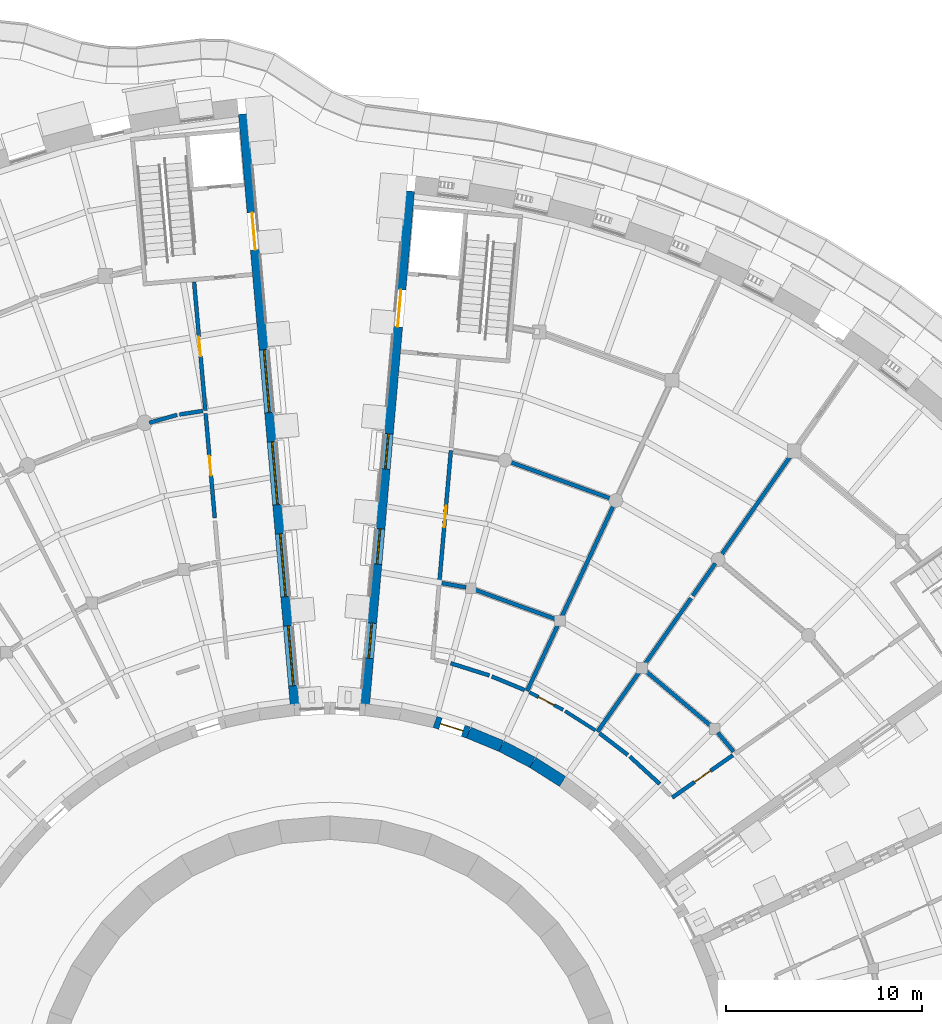
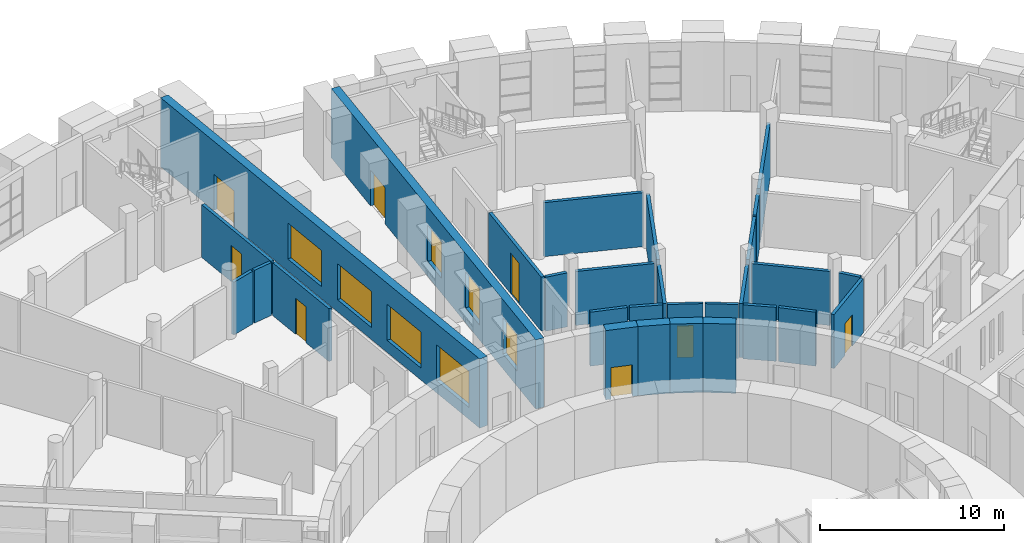
# One storey, part 58 of 85: 29 walls, 8 doors, 7 windows, 15 openings.
"""IFC4 building model written with IfcOpenShell, lengths in metres."""

from ifc_helpers import new_model, si_unit, direction, frame, frame_2d, origin, place, context, subcontext, project, spatial, rectangle, extrude, material, layer, layer_set, type_object, element, fill, save


model = new_model("IFC4")

# Units and contexts
model_context = context("Model", 3, precision=1e-05, world=origin(), true_north=direction((0.0, 1.0)))
body_context = subcontext(model_context, "Body", "Model", "MODEL_VIEW")
ifc_project = project(units=[si_unit("LENGTHUNIT", "METRE"), si_unit("AREAUNIT", "SQUARE_METRE"), si_unit("VOLUMEUNIT", "CUBIC_METRE"), si_unit("PLANEANGLEUNIT", "RADIAN"), si_unit("MASSUNIT", "GRAM", prefix="KILO")], contexts=[model_context])

# Site, building, storey
site_placement = place(None, origin())
site = spatial("IfcSite", under=ifc_project, at=site_placement, CompositionType="ELEMENT")
building_placement = place(site_placement, origin())
building = spatial("IfcBuilding", under=site, at=building_placement, Name="Volute Hill Aquarium", CompositionType="ELEMENT")
storey_placement = place(building_placement, origin())
storey = spatial("IfcBuildingStorey", under=building, at=storey_placement, Name="L01", CompositionType="ELEMENT", Elevation=0.0)

# Wall, opening, door
ifc_material_1 = material(Name="Gypsum board on steel studs", Category="steel")
ifc_layer_1 = layer(ifc_material_1, 0.175048828125)
ifc_layer_set_1 = layer_set([ifc_layer_1], Name="Corridor partition 175 EI 60")
wall_type_1 = type_object("IfcWallType", Name="Corridor partition 175 EI 60", PredefinedType="PARTITIONING", material=ifc_layer_set_1)
wall_1_placement = place(storey_placement, frame((10.173583984375, 21.510009765625, 0.0), z_axis=(0.0, 0.0, 1.0), x_axis=(0.887007216852, -0.461755560067, 0.0)))
wall_1 = element("IfcWall", 1, at=wall_1_placement, inside=storey, type_object=wall_type_1, Name="pw/S5/L01/026", PredefinedType="PARTITIONING", context=body_context, shape_type="SweptSolid", body=[
    extrude(rectangle(XDim=1.9462890625, YDim=0.175048828125, at=frame_2d((0.97314453125, 0.0))), origin(), (0.0, 0.0, 1.0), 3.590087890625),
])
opening_1_placement = place(wall_1_placement, frame((0.523193359375, 0.0, 0.0)))
opening_1 = element("IfcOpeningElement", 2, at=opening_1_placement, cuts=wall_1, Name="Opening D5.01.01", PredefinedType="OPENING", context=body_context, shape_type="SweptSolid", body=[
    extrude(rectangle(XDim=0.89990234375, YDim=2.10009765625, at=frame_2d((0.449951171875, 1.050048828125))), frame((0.0, 0.097412109375, 0.0), z_axis=(0.0, -1.0, 0.0), x_axis=(1.0, 0.0, 0.0)), (0.0, 0.0, 1.0), 0.195068359375),
])
ifc_material_2 = material(Name="Timber, fire-rated", Category="wood")
door_type_1 = type_object("IfcDoorType", Name="Door 900 x 2100 wc single EI1 30", OperationType="SINGLE_SWING_LEFT", PredefinedType="DOOR", material=ifc_material_2)
door_1_placement = place(opening_1_placement, origin())
door_1 = element("IfcDoor", 3, at=door_1_placement, inside=storey, type_object=door_type_1, Name="d/S5/L01/01", OperationType="SINGLE_SWING_LEFT", OverallHeight=2.10009765625, OverallWidth=0.89990234375, PredefinedType="DOOR", context=body_context, shape_type="SweptSolid", body=[
    extrude(rectangle(XDim=0.89990234375, YDim=2.10009765625, at=frame_2d((0.449951171875, 1.050048828125))), frame((0.0, 0.02490234375, 0.0), z_axis=(0.0, -1.0, 0.0), x_axis=(1.0, 0.0, 0.0)), (0.0, 0.0, 1.0), 0.050048828125),
])
fill(opening_1, door_1)

# Walls
wall_2_placement = place(storey_placement, frame((11.9990234375, 20.54833984375, 0.0), z_axis=(0.0, 0.0, 1.0), x_axis=(0.843392045151, -0.537298667574, 0.0)))
element("IfcWall", 4, at=wall_2_placement, inside=storey, type_object=wall_type_1, Name="pw/S5/L01/028", PredefinedType="PARTITIONING", context=body_context, shape_type="SweptSolid", body=[
    extrude(rectangle(XDim=1.828857421875, YDim=0.175048828125, at=frame_2d((0.91455078125, 0.0))), origin(), (0.0, 0.0, 1.0), 3.590087890625),
])
ifc_material_3 = material(Name="Concrete C35/45", Category="concrete")
ifc_layer_2 = layer(ifc_material_3, 0.60009765625)
ifc_layer_set_2 = layer_set([ifc_layer_2], Name="Drum wall C35/45 600")
wall_type_2 = type_object("IfcWallType", Name="Drum wall C35/45 600", PredefinedType="SHEAR", material=ifc_layer_set_2)
for number, where, z_axis, x_axis, name in (
    (5, (11.873046875, 16.956298828125, 0.0), (0.0, 0.0, 1.0), (-0.843332890803, 0.537391510251, 0.0), "sw/DR/L01/11"),
    (6, (10.35009765625, 17.9267578125, 0.0), (0.0, 0.0, 1.0), (-0.887035219654, 0.461701764231, 0.0), "sw/DR/L01/12"),
    (7, (8.748291015625, 18.760498046875, 0.0), (0.0, 0.0, 1.0), (-0.923866889322, 0.382713954298, 0.0), "sw/DR/L01/13"),
):
    element("IfcWall", number, at=place(storey_placement, frame(where, z_axis=z_axis, x_axis=x_axis)), inside=storey, type_object=wall_type_2, Name=name, PredefinedType="SHEAR", context=body_context, shape_type="SweptSolid", body=[
        extrude(rectangle(XDim=1.805908203125, YDim=0.60009765625, at=frame_2d((0.90283203125, 0.0))), origin(), (0.0, 0.0, 1.0), 4.60009765625),
    ])

# Wall, opening, door
wall_3_placement = place(storey_placement, frame((7.079833984375, 19.45166015625, 0.0), z_axis=(0.0, 0.0, 1.0), x_axis=(-0.953721512733, 0.300691330354, 0.0)))
wall_3 = element("IfcWall", 8, at=wall_3_placement, inside=storey, type_object=wall_type_2, Name="sw/DR/L01/14", PredefinedType="SHEAR", context=body_context, shape_type="SweptSolid", body=[
    extrude(rectangle(XDim=1.8056640625, YDim=0.60009765625, at=frame_2d((0.90283203125, 0.0))), origin(), (0.0, 0.0, 1.0), 4.60009765625),
])
opening_2_placement = place(wall_3_placement, frame((0.302978515625, 0.0, 0.0)))
opening_2 = element("IfcOpeningElement", 9, at=opening_2_placement, cuts=wall_3, Name="Opening D5.01.R2", PredefinedType="OPENING", context=body_context, shape_type="SweptSolid", body=[
    extrude(rectangle(XDim=1.199951171875, YDim=2.10009765625, at=frame_2d((0.60009765625, 1.050048828125))), frame((0.0, 0.31005859375, 0.0), z_axis=(0.0, -1.0, 0.0), x_axis=(1.0, 0.0, 0.0)), (0.0, 0.0, 1.0), 0.6201171875),
])
ifc_material_4 = material(Name="Timber", Category="wood")
door_type_2 = type_object("IfcDoorType", Name="Door 1200 x 2100 drum double", OperationType="DOUBLE_DOOR_SINGLE_SWING", PredefinedType="DOOR", material=ifc_material_4)
door_2_placement = place(opening_2_placement, origin())
door_2 = element("IfcDoor", 10, at=door_2_placement, inside=storey, type_object=door_type_2, Name="d/S5/L01/dr2", OperationType="SINGLE_SWING_LEFT", OverallHeight=2.10009765625, OverallWidth=1.199951171875, PredefinedType="DOOR", context=body_context, shape_type="SweptSolid", body=[
    extrude(rectangle(XDim=1.199951171875, YDim=2.10009765625, at=frame_2d((0.60009765625, 1.050048828125))), frame((0.0, 0.02490234375, 0.0), z_axis=(0.0, -1.0, 0.0), x_axis=(1.0, 0.0, 0.0)), (0.0, 0.0, 1.0), 0.050048828125),
])
fill(opening_2, door_2)

# Wall, openings, door, windows
ifc_material_5 = material(Name="Concrete C35/45", Category="concrete")
ifc_layer_3 = layer(ifc_material_5, 0.5)
ifc_layer_set_3 = layer_set([ifc_layer_3], Name="End wall 500 C35/45")
wall_type_3 = type_object("IfcWallType", Name="End wall 500 C35/45", PredefinedType="SHEAR", material=ifc_layer_set_3)
wall_4_placement = place(storey_placement, frame((1.771728515625, 20.82470703125, 0.0), z_axis=(0.0, 0.0, 1.0), x_axis=(0.087157755473, 0.996194521999, 0.0)))
wall_4 = element("IfcWall", 11, at=wall_4_placement, inside=storey, type_object=wall_type_3, Name="sw/S5/L01/endB", PredefinedType="SHEAR", context=body_context, shape_type="SweptSolid", body=[
    extrude(rectangle(XDim=26.350341796875, YDim=0.5, at=frame_2d((13.17529296875, 0.0))), origin(), (0.0, 0.0, 1.0), 4.60009765625),
])
opening_3_placement = place(wall_4_placement, frame((2.43115234375, 0.0, 1.0)))
opening_3 = element("IfcOpeningElement", 12, at=opening_3_placement, cuts=wall_4, Name="Opening W13", PredefinedType="OPENING", context=body_context, shape_type="SweptSolid", body=[
    extrude(rectangle(XDim=1.800048828125, YDim=2.39990234375, at=frame_2d((0.89990234375, 1.199951171875))), frame((0.0, 0.260009765625, 0.0), z_axis=(0.0, -1.0, 0.0), x_axis=(1.0, 0.0, 0.0)), (0.0, 0.0, 1.0), 0.52001953125),
])
opening_4_placement = place(wall_4_placement, frame((7.252197265625, 0.0, 1.0)))
opening_4 = element("IfcOpeningElement", 13, at=opening_4_placement, cuts=wall_4, Name="Opening W13", PredefinedType="OPENING", context=body_context, shape_type="SweptSolid", body=[
    extrude(rectangle(XDim=1.800048828125, YDim=2.39990234375, at=frame_2d((0.89990234375, 1.199951171875))), frame((0.0, 0.260009765625, 0.0), z_axis=(0.0, -1.0, 0.0), x_axis=(1.0, 0.0, 0.0)), (0.0, 0.0, 1.0), 0.52001953125),
])
opening_5_placement = place(wall_4_placement, frame((12.1181640625, 0.0, 1.0)))
opening_5 = element("IfcOpeningElement", 14, at=opening_5_placement, cuts=wall_4, Name="Opening W13", PredefinedType="OPENING", context=body_context, shape_type="SweptSolid", body=[
    extrude(rectangle(XDim=1.800048828125, YDim=2.39990234375, at=frame_2d((0.89990234375, 1.199951171875))), frame((0.0, 0.260009765625, 0.0), z_axis=(0.0, -1.0, 0.0), x_axis=(1.0, 0.0, 0.0)), (0.0, 0.0, 1.0), 0.52001953125),
])
opening_6_placement = place(wall_4_placement, frame((19.39990234375, 0.0, 0.0)))
opening_6 = element("IfcOpeningElement", 15, at=opening_6_placement, cuts=wall_4, Name="Opening D5.01.BX", PredefinedType="OPENING", context=body_context, shape_type="SweptSolid", body=[
    extrude(rectangle(XDim=1.89990234375, YDim=2.39990234375, at=frame_2d((0.949951171875, 1.199951171875))), frame((0.0, 0.260009765625, 0.0), z_axis=(0.0, -1.0, 0.0), x_axis=(1.0, 0.0, 0.0)), (0.0, 0.0, 1.0), 0.52001953125),
])
ifc_material_6 = material(Name="Steel, fire-rated", Category="steel")
door_type_3 = type_object("IfcDoorType", Name="Door 1900 x 2400 stair exit double EI1 30", OperationType="DOUBLE_DOOR_SINGLE_SWING", PredefinedType="DOOR", material=ifc_material_6)
door_3_placement = place(opening_6_placement, origin())
door_3 = element("IfcDoor", 16, at=door_3_placement, inside=storey, type_object=door_type_3, Name="d/S5-B/L01/ex", OperationType="SINGLE_SWING_LEFT", OverallHeight=2.39990234375, OverallWidth=1.89990234375, PredefinedType="DOOR", context=body_context, shape_type="SweptSolid", body=[
    extrude(rectangle(XDim=1.89990234375, YDim=2.39990234375, at=frame_2d((0.949951171875, 1.199951171875))), frame((0.0, 0.02490234375, 0.0), z_axis=(0.0, -1.0, 0.0), x_axis=(1.0, 0.0, 0.0)), (0.0, 0.0, 1.0), 0.050048828125),
])
fill(opening_6, door_3)
ifc_material_7 = material(Name="Aluminium and glass", Category="aluminium")
window_type_1 = type_object("IfcWindowType", Name="End wall window 1800x2400", PartitioningType="SINGLE_PANEL", PredefinedType="WINDOW", material=ifc_material_7)
window_1_placement = place(opening_3_placement, origin())
window_1 = element("IfcWindow", 17, at=window_1_placement, inside=storey, type_object=window_type_1, Name="End wall window S5B L01 1.1", OverallHeight=2.39990234375, OverallWidth=1.800048828125, PartitioningType="SINGLE_PANEL", PredefinedType="WINDOW", context=body_context, shape_type="SweptSolid", body=[
    extrude(rectangle(XDim=1.800048828125, YDim=2.39990234375, at=frame_2d((0.89990234375, 1.199951171875))), frame((0.0, 0.030029296875, 0.0), z_axis=(0.0, -1.0, 0.0), x_axis=(1.0, 0.0, 0.0)), (0.0, 0.0, 1.0), 0.06005859375),
])
fill(opening_3, window_1)
window_2_placement = place(opening_4_placement, origin())
window_2 = element("IfcWindow", 18, at=window_2_placement, inside=storey, type_object=window_type_1, Name="End wall window S5B L01 2.1", OverallHeight=2.39990234375, OverallWidth=1.800048828125, PartitioningType="SINGLE_PANEL", PredefinedType="WINDOW", context=body_context, shape_type="SweptSolid", body=[
    extrude(rectangle(XDim=1.800048828125, YDim=2.39990234375, at=frame_2d((0.89990234375, 1.199951171875))), frame((0.0, 0.030029296875, 0.0), z_axis=(0.0, -1.0, 0.0), x_axis=(1.0, 0.0, 0.0)), (0.0, 0.0, 1.0), 0.06005859375),
])
fill(opening_4, window_2)
window_3_placement = place(opening_5_placement, origin())
window_3 = element("IfcWindow", 19, at=window_3_placement, inside=storey, type_object=window_type_1, Name="End wall window S5B L01 3.1", OverallHeight=2.39990234375, OverallWidth=1.800048828125, PartitioningType="SINGLE_PANEL", PredefinedType="WINDOW", context=body_context, shape_type="SweptSolid", body=[
    extrude(rectangle(XDim=1.800048828125, YDim=2.39990234375, at=frame_2d((0.89990234375, 1.199951171875))), frame((0.0, 0.030029296875, 0.0), z_axis=(0.0, -1.0, 0.0), x_axis=(1.0, 0.0, 0.0)), (0.0, 0.0, 1.0), 0.06005859375),
])
fill(opening_5, window_3)

wall_5_placement = place(storey_placement, frame((-1.771728515625, 20.82470703125, 0.0), z_axis=(0.0, 0.0, 1.0), x_axis=(-0.087157054987, 0.996194583285, 0.0)))
wall_5 = element("IfcWall", 20, at=wall_5_placement, inside=storey, type_object=wall_type_3, Name="sw/S6/L01/endA", PredefinedType="SHEAR", context=body_context, shape_type="SweptSolid", body=[
    extrude(rectangle(XDim=30.300048828125, YDim=0.5, at=frame_2d((15.14990234375, 0.0))), origin(), (0.0, 0.0, 1.0), 4.60009765625),
])
opening_7_placement = place(wall_5_placement, frame((1.02001953125, 0.0, 0.800048828125)))
opening_7 = element("IfcOpeningElement", 21, at=opening_7_placement, cuts=wall_5, Name="Opening W14", PredefinedType="OPENING", context=body_context, shape_type="SweptSolid", body=[
    extrude(rectangle(XDim=3.063232421875, YDim=2.39990234375, at=frame_2d((1.53173828125, 1.199951171875))), frame((0.0, 0.260009765625, 0.0), z_axis=(0.0, -1.0, 0.0), x_axis=(1.0, 0.0, 0.0)), (0.0, 0.0, 1.0), 0.52001953125),
])
opening_8_placement = place(wall_5_placement, frame((5.583251953125, 0.0, 0.800048828125)))
opening_8 = element("IfcOpeningElement", 22, at=opening_8_placement, cuts=wall_5, Name="Opening W15", PredefinedType="OPENING", context=body_context, shape_type="SweptSolid", body=[
    extrude(rectangle(XDim=3.21337890625, YDim=2.39990234375, at=frame_2d((1.606689453125, 1.199951171875))), frame((0.0, 0.260009765625, 0.0), z_axis=(0.0, -1.0, 0.0), x_axis=(1.0, 0.0, 0.0)), (0.0, 0.0, 1.0), 0.52001953125),
])
opening_9_placement = place(wall_5_placement, frame((10.296630859375, 0.0, 0.800048828125)))
opening_9 = element("IfcOpeningElement", 23, at=opening_9_placement, cuts=wall_5, Name="Opening W15", PredefinedType="OPENING", context=body_context, shape_type="SweptSolid", body=[
    extrude(rectangle(XDim=3.21337890625, YDim=2.39990234375, at=frame_2d((1.606689453125, 1.199951171875))), frame((0.0, 0.260009765625, 0.0), z_axis=(0.0, -1.0, 0.0), x_axis=(1.0, 0.0, 0.0)), (0.0, 0.0, 1.0), 0.52001953125),
])
opening_10_placement = place(wall_5_placement, frame((15.010009765625, 0.0, 0.800048828125)))
opening_10 = element("IfcOpeningElement", 24, at=opening_10_placement, cuts=wall_5, Name="Opening W15", PredefinedType="OPENING", context=body_context, shape_type="SweptSolid", body=[
    extrude(rectangle(XDim=3.21337890625, YDim=2.39990234375, at=frame_2d((1.606689453125, 1.199951171875))), frame((0.0, 0.260009765625, 0.0), z_axis=(0.0, -1.0, 0.0), x_axis=(1.0, 0.0, 0.0)), (0.0, 0.0, 1.0), 0.52001953125),
])
opening_11_placement = place(wall_5_placement, frame((23.35009765625, 0.0, 0.0)))
opening_11 = element("IfcOpeningElement", 25, at=opening_11_placement, cuts=wall_5, Name="Opening D6.01.AX", PredefinedType="OPENING", context=body_context, shape_type="SweptSolid", body=[
    extrude(rectangle(XDim=1.89990234375, YDim=2.39990234375, at=frame_2d((0.949951171875, 1.199951171875))), frame((0.0, 0.260009765625, 0.0), z_axis=(0.0, -1.0, 0.0), x_axis=(1.0, 0.0, 0.0)), (0.0, 0.0, 1.0), 0.52001953125),
])
door_4_placement = place(opening_11_placement, origin())
door_4 = element("IfcDoor", 26, at=door_4_placement, inside=storey, type_object=door_type_3, Name="d/S6-A/L01/ex", OperationType="SINGLE_SWING_LEFT", OverallHeight=2.39990234375, OverallWidth=1.89990234375, PredefinedType="DOOR", context=body_context, shape_type="SweptSolid", body=[
    extrude(rectangle(XDim=1.89990234375, YDim=2.39990234375, at=frame_2d((0.949951171875, 1.199951171875))), frame((0.0, 0.02490234375, 0.0), z_axis=(0.0, -1.0, 0.0), x_axis=(1.0, 0.0, 0.0)), (0.0, 0.0, 1.0), 0.050048828125),
])
fill(opening_11, door_4)
ifc_material_8 = material(Name="Aluminium and glass", Category="aluminium")
window_type_2 = type_object("IfcWindowType", Name="End wall window 3063x2400", PartitioningType="SINGLE_PANEL", PredefinedType="WINDOW", material=ifc_material_8)
window_4_placement = place(opening_7_placement, origin())
window_4 = element("IfcWindow", 27, at=window_4_placement, inside=storey, type_object=window_type_2, Name="End wall window S6A L01 1.1", OverallHeight=2.39990234375, OverallWidth=3.063232421875, PartitioningType="SINGLE_PANEL", PredefinedType="WINDOW", context=body_context, shape_type="SweptSolid", body=[
    extrude(rectangle(XDim=3.063232421875, YDim=2.39990234375, at=frame_2d((1.53173828125, 1.199951171875))), frame((0.0, 0.030029296875, 0.0), z_axis=(0.0, -1.0, 0.0), x_axis=(1.0, 0.0, 0.0)), (0.0, 0.0, 1.0), 0.06005859375),
])
fill(opening_7, window_4)
ifc_material_9 = material(Name="Aluminium and glass", Category="aluminium")
window_type_3 = type_object("IfcWindowType", Name="End wall window 3213x2400", PartitioningType="SINGLE_PANEL", PredefinedType="WINDOW", material=ifc_material_9)
window_5_placement = place(opening_8_placement, origin())
window_5 = element("IfcWindow", 28, at=window_5_placement, inside=storey, type_object=window_type_3, Name="End wall window S6A L01 2.1", OverallHeight=2.39990234375, OverallWidth=3.21337890625, PartitioningType="SINGLE_PANEL", PredefinedType="WINDOW", context=body_context, shape_type="SweptSolid", body=[
    extrude(rectangle(XDim=3.21337890625, YDim=2.39990234375, at=frame_2d((1.606689453125, 1.199951171875))), frame((0.0, 0.030029296875, 0.0), z_axis=(0.0, -1.0, 0.0), x_axis=(1.0, 0.0, 0.0)), (0.0, 0.0, 1.0), 0.06005859375),
])
fill(opening_8, window_5)
window_6_placement = place(opening_9_placement, origin())
window_6 = element("IfcWindow", 29, at=window_6_placement, inside=storey, type_object=window_type_3, Name="End wall window S6A L01 3.1", OverallHeight=2.39990234375, OverallWidth=3.21337890625, PartitioningType="SINGLE_PANEL", PredefinedType="WINDOW", context=body_context, shape_type="SweptSolid", body=[
    extrude(rectangle(XDim=3.21337890625, YDim=2.39990234375, at=frame_2d((1.606689453125, 1.199951171875))), frame((0.0, 0.030029296875, 0.0), z_axis=(0.0, -1.0, 0.0), x_axis=(1.0, 0.0, 0.0)), (0.0, 0.0, 1.0), 0.06005859375),
])
fill(opening_9, window_6)
window_7_placement = place(opening_10_placement, origin())
window_7 = element("IfcWindow", 30, at=window_7_placement, inside=storey, type_object=window_type_3, Name="End wall window S6A L01 4.1", OverallHeight=2.39990234375, OverallWidth=3.21337890625, PartitioningType="SINGLE_PANEL", PredefinedType="WINDOW", context=body_context, shape_type="SweptSolid", body=[
    extrude(rectangle(XDim=3.21337890625, YDim=2.39990234375, at=frame_2d((1.606689453125, 1.199951171875))), frame((0.0, 0.030029296875, 0.0), z_axis=(0.0, -1.0, 0.0), x_axis=(1.0, 0.0, 0.0)), (0.0, 0.0, 1.0), 0.06005859375),
])
fill(opening_10, window_7)

# Wall, opening, door
ifc_material_10 = material(Name="Masonry blockwork", Category="masonry")
ifc_layer_4 = layer(ifc_material_10, 0.199951171875)
ifc_layer_set_4 = layer_set([ifc_layer_4], Name="Fire partition 200 EI 60")
wall_type_4 = type_object("IfcWallType", Name="Fire partition 200 EI 60", PredefinedType="PARTITIONING", material=ifc_layer_set_4)
wall_6_placement = place(storey_placement, frame((6.17236328125, 33.835693359375, 0.0), z_axis=(0.0, 0.0, 1.0), x_axis=(-0.087153066589, -0.996194932222, 0.0)))
wall_6 = element("IfcWall", 31, at=wall_6_placement, inside=storey, type_object=wall_type_4, Name="pw/S5/L01/001", PredefinedType="PARTITIONING", context=body_context, shape_type="SweptSolid", body=[
    extrude(rectangle(XDim=6.76220703125, YDim=0.199951171875, at=frame_2d((3.381103515625, 0.0))), origin(), (0.0, 0.0, 1.0), 3.590087890625),
])
opening_12_placement = place(wall_6_placement, frame((2.831298828125, 0.0, 0.0)))
opening_12 = element("IfcOpeningElement", 32, at=opening_12_placement, cuts=wall_6, Name="Opening D5.01.06", PredefinedType="OPENING", context=body_context, shape_type="SweptSolid", body=[
    extrude(rectangle(XDim=1.10009765625, YDim=2.699951171875, at=frame_2d((0.550048828125, 1.35009765625))), frame((0.0, 0.10986328125, 0.0), z_axis=(0.0, -1.0, 0.0), x_axis=(1.0, 0.0, 0.0)), (0.0, 0.0, 1.0), 0.219970703125),
])
ifc_material_11 = material(Name="Steel, fire-rated", Category="steel")
door_type_4 = type_object("IfcDoorType", Name="Door 1100 x 2700 animal care EI1 30", OperationType="SINGLE_SWING_LEFT", PredefinedType="DOOR", material=ifc_material_11)
door_5_placement = place(opening_12_placement, origin())
door_5 = element("IfcDoor", 33, at=door_5_placement, inside=storey, type_object=door_type_4, Name="d/S5/L01/06", OperationType="SINGLE_SWING_RIGHT", OverallHeight=2.699951171875, OverallWidth=1.10009765625, PredefinedType="DOOR", context=body_context, shape_type="SweptSolid", body=[
    extrude(rectangle(XDim=1.10009765625, YDim=2.699951171875, at=frame_2d((0.550048828125, 1.35009765625))), frame((0.0, 0.02490234375, 0.0), z_axis=(0.0, -1.0, 0.0), x_axis=(1.0, 0.0, 0.0)), (0.0, 0.0, 1.0), 0.050048828125),
])
fill(opening_12, door_5)

# Walls
for number, where, z_axis, x_axis, name in (
    (34, (11.834228515625, 25.378662109375, 0.0), (0.0, 0.0, 1.0), (0.42261316076, 0.906310165646, 0.0), "pw/S5/L01/005"),
    (35, (23.5439453125, 33.624267578125, 0.0), (0.0, 0.0, 1.0), (-0.573574477874, -0.819153415626, 0.0), "pw/S5/L01/006"),
):
    element("IfcWall", number, at=place(storey_placement, frame(where, z_axis=z_axis, x_axis=x_axis)), inside=storey, type_object=wall_type_4, Name=name, PredefinedType="PARTITIONING", context=body_context, shape_type="SweptSolid", body=[
        extrude(rectangle(XDim=6.282958984375, YDim=0.199951171875, at=frame_2d((3.1416015625, 0.0))), origin(), (0.0, 0.0, 1.0), 3.590087890625),
    ])
wall_7_placement = place(storey_placement, frame((9.160888671875, 33.2666015625, 0.0), z_axis=(0.0, 0.0, 1.0), x_axis=(0.939694284746, -0.342015571599, 0.0)))
element("IfcWall", 36, at=wall_7_placement, inside=storey, type_object=wall_type_4, Name="pw/S5/L01/009", PredefinedType="PARTITIONING", context=body_context, shape_type="SweptSolid", body=[
    extrude(rectangle(XDim=5.53857421875, YDim=0.199951171875, at=frame_2d((2.769287109375, 0.0))), origin(), (0.0, 0.0, 1.0), 3.590087890625),
])
wall_8_placement = place(storey_placement, frame((7.410888671875, 26.734619140625, 0.0), z_axis=(0.0, 0.0, 1.0), x_axis=(0.939682191011, -0.342048797538, 0.0)))
element("IfcWall", 37, at=wall_8_placement, inside=storey, type_object=wall_type_4, Name="pw/S5/L01/014", PredefinedType="PARTITIONING", context=body_context, shape_type="SweptSolid", body=[
    extrude(rectangle(XDim=4.359619140625, YDim=0.199951171875, at=frame_2d((2.1796875, 0.0))), origin(), (0.0, 0.0, 1.0), 3.590087890625),
])
wall_9_placement = place(storey_placement, frame((16.107666015625, 22.58740234375, 0.0), z_axis=(0.0, 0.0, 1.0), x_axis=(0.766073228099, -0.642753303523, 0.0)))
element("IfcWall", 38, at=wall_9_placement, inside=storey, type_object=wall_type_4, Name="pw/S5/L01/015", PredefinedType="PARTITIONING", context=body_context, shape_type="SweptSolid", body=[
    extrude(rectangle(XDim=4.359375, YDim=0.199951171875, at=frame_2d((2.1796875, 0.0))), origin(), (0.0, 0.0, 1.0), 3.590087890625),
])
wall_10_placement = place(storey_placement, frame((18.421142578125, 26.30810546875, 0.0), z_axis=(0.0, 0.0, 1.0), x_axis=(-0.573589781111, -0.819142700026, 0.0)))
element("IfcWall", 39, at=wall_10_placement, inside=storey, type_object=wall_type_4, Name="pw/S5/L01/016", PredefinedType="PARTITIONING", context=body_context, shape_type="SweptSolid", body=[
    extrude(rectangle(XDim=4.1142578125, YDim=0.199951171875, at=frame_2d((2.05712890625, 0.0))), origin(), (0.0, 0.0, 1.0), 3.590087890625),
])

# Wall, opening, door
wall_11_placement = place(storey_placement, frame((17.464599609375, 16.135498046875, 0.0), z_axis=(0.0, 0.0, 1.0), x_axis=(0.819186301259, 0.573527509218, 0.0)))
wall_11 = element("IfcWall", 40, at=wall_11_placement, inside=storey, type_object=wall_type_4, Name="pw/S5/L01/017", PredefinedType="PARTITIONING", context=body_context, shape_type="SweptSolid", body=[
    extrude(rectangle(XDim=3.771484375, YDim=0.199951171875, at=frame_2d((1.8857421875, 0.0))), origin(), (0.0, 0.0, 1.0), 3.590087890625),
])
opening_13_placement = place(wall_11_placement, frame((1.3857421875, 0.0, 0.0)))
opening_13 = element("IfcOpeningElement", 41, at=opening_13_placement, cuts=wall_11, Name="Opening D5.01.02", PredefinedType="OPENING", context=body_context, shape_type="SweptSolid", body=[
    extrude(rectangle(XDim=1.0, YDim=2.10009765625, at=frame_2d((0.5, 1.050048828125))), frame((0.0, 0.10986328125, 0.0), z_axis=(0.0, -1.0, 0.0), x_axis=(1.0, 0.0, 0.0)), (0.0, 0.0, 1.0), 0.219970703125),
])
ifc_material_12 = material(Name="Timber, fire-rated", Category="wood")
door_type_5 = type_object("IfcDoorType", Name="Door 1000 x 2100 single EI1 30", OperationType="SINGLE_SWING_LEFT", PredefinedType="DOOR", material=ifc_material_12)
door_6_placement = place(opening_13_placement, origin())
door_6 = element("IfcDoor", 42, at=door_6_placement, inside=storey, type_object=door_type_5, Name="d/S5/L01/02", OperationType="SINGLE_SWING_RIGHT", OverallHeight=2.10009765625, OverallWidth=1.0, PredefinedType="DOOR", context=body_context, shape_type="SweptSolid", body=[
    extrude(rectangle(XDim=1.0, YDim=2.10009765625, at=frame_2d((0.5, 1.050048828125))), frame((0.0, 0.02490234375, 0.0), z_axis=(0.0, -1.0, 0.0), x_axis=(1.0, 0.0, 0.0)), (0.0, 0.0, 1.0), 0.050048828125),
])
fill(opening_13, door_6)

# Walls
for number, where, z_axis, x_axis, name in (
    (43, (11.631591796875, 24.944091796875, 0.0), (0.0, 0.0, 1.0), (-0.422598231928, -0.906317126822, 0.0), "pw/S5/L01/019"),
    (44, (13.651123046875, 19.495849609375, 0.0), (0.0, 0.0, 1.0), (0.573563571015, 0.819161052544, 0.0), "pw/S5/L01/020"),
):
    element("IfcWall", number, at=place(storey_placement, frame(where, z_axis=z_axis, x_axis=x_axis)), inside=storey, type_object=wall_type_4, Name=name, PredefinedType="PARTITIONING", context=body_context, shape_type="SweptSolid", body=[
        extrude(rectangle(XDim=3.722900390625, YDim=0.199951171875, at=frame_2d((1.861328125, 0.0))), origin(), (0.0, 0.0, 1.0), 3.590087890625),
    ])
wall_12_placement = place(storey_placement, frame((19.665283203125, 28.084716796875, 0.0), z_axis=(0.0, 0.0, 1.0), x_axis=(-0.573697690177, -0.819067128071, 0.0)))
element("IfcWall", 45, at=wall_12_placement, inside=storey, type_object=wall_type_4, Name="pw/S5/L01/024", PredefinedType="PARTITIONING", context=body_context, shape_type="SweptSolid", body=[
    extrude(rectangle(XDim=2.018798828125, YDim=0.199951171875, at=frame_2d((1.00927734375, 0.0))), origin(), (0.0, 0.0, 1.0), 3.590087890625),
])
for number, where, z_axis, x_axis, name in (
    (46, (15.29833984375, 18.23193359375, 0.0), (0.0, 0.0, 1.0), (0.737241988031, -0.675628782013, 0.0), "pw/S5/L01/025"),
    (47, (6.159912109375, 22.989013671875, 0.0), (0.0, 0.0, 1.0), (0.953730050022, -0.300664250759, 0.0), "pw/S5/L01/027"),
):
    element("IfcWall", number, at=place(storey_placement, frame(where, z_axis=z_axis, x_axis=x_axis)), inside=storey, type_object=wall_type_4, Name=name, PredefinedType="PARTITIONING", context=body_context, shape_type="SweptSolid", body=[
        extrude(rectangle(XDim=2.076416015625, YDim=0.199951171875, at=frame_2d((1.0380859375, 0.0))), origin(), (0.0, 0.0, 1.0), 3.590087890625),
    ])
wall_13_placement = place(storey_placement, frame((8.26025390625, 22.31494140625, 0.0), z_axis=(0.0, 0.0, 1.0), x_axis=(0.923874295851, -0.382696074536, 0.0)))
element("IfcWall", 48, at=wall_13_placement, inside=storey, type_object=wall_type_4, Name="pw/S5/L01/029", PredefinedType="PARTITIONING", context=body_context, shape_type="SweptSolid", body=[
    extrude(rectangle(XDim=1.816162109375, YDim=0.199951171875, at=frame_2d((0.908203125, 0.0))), origin(), (0.0, 0.0, 1.0), 3.590087890625),
])
wall_14_placement = place(storey_placement, frame((13.754150390625, 19.416748046875, 0.0), z_axis=(0.0, 0.0, 1.0), x_axis=(0.793387821047, -0.608716490178, 0.0)))
element("IfcWall", 49, at=wall_14_placement, inside=storey, type_object=wall_type_4, Name="pw/S5/L01/030", PredefinedType="PARTITIONING", context=body_context, shape_type="SweptSolid", body=[
    extrude(rectangle(XDim=1.81640625, YDim=0.199951171875, at=frame_2d((0.908203125, 0.0))), origin(), (0.0, 0.0, 1.0), 3.590087890625),
])
wall_15_placement = place(storey_placement, frame((5.711181640625, 27.076416015625, 0.0), z_axis=(0.0, 0.0, 1.0), x_axis=(0.984812871034, -0.173619149419, 0.0)))
element("IfcWall", 50, at=wall_15_placement, inside=storey, type_object=wall_type_4, Name="pw/S5/L01/031", PredefinedType="PARTITIONING", context=body_context, shape_type="SweptSolid", body=[
    extrude(rectangle(XDim=1.257080078125, YDim=0.199951171875, at=frame_2d((0.62841796875, 0.0))), origin(), (0.0, 0.0, 1.0), 3.590087890625),
])
wall_16_placement = place(storey_placement, frame((19.785400390625, 19.447265625, 0.0), z_axis=(0.0, 0.0, 1.0), x_axis=(0.642740994917, -0.766083555138, 0.0)))
element("IfcWall", 51, at=wall_16_placement, inside=storey, type_object=wall_type_4, Name="pw/S5/L01/032", PredefinedType="PARTITIONING", context=body_context, shape_type="SweptSolid", body=[
    extrude(rectangle(XDim=1.2568359375, YDim=0.199951171875, at=frame_2d((0.62841796875, 0.0))), origin(), (0.0, 0.0, 1.0), 3.590087890625),
])

# Wall, opening, door
wall_17_placement = place(storey_placement, frame((-6.35107421875, 35.8779296875, 0.0), z_axis=(0.0, 0.0, 1.0), x_axis=(-0.087183992952, 0.996192226115, 0.0)))
wall_17 = element("IfcWall", 52, at=wall_17_placement, inside=storey, type_object=wall_type_4, Name="pw/S6/L01/007", PredefinedType="PARTITIONING", context=body_context, shape_type="SweptSolid", body=[
    extrude(rectangle(XDim=6.5751953125, YDim=0.199951171875, at=frame_2d((3.28759765625, 0.0))), origin(), (0.0, 0.0, 1.0), 3.510009765625),
])
opening_14_placement = place(wall_17_placement, frame((2.78759765625, 0.0, 0.0)))
opening_14 = element("IfcOpeningElement", 53, at=opening_14_placement, cuts=wall_17, Name="Opening D6.01.03", PredefinedType="OPENING", context=body_context, shape_type="SweptSolid", body=[
    extrude(rectangle(XDim=1.0, YDim=2.39990234375, at=frame_2d((0.5, 1.199951171875))), frame((0.0, 0.10986328125, 0.0), z_axis=(0.0, -1.0, 0.0), x_axis=(1.0, 0.0, 0.0)), (0.0, 0.0, 1.0), 0.219970703125),
])
ifc_material_13 = material(Name="Steel, fire-rated", Category="steel")
door_type_6 = type_object("IfcDoorType", Name="Door 1000 x 2400 laboratory EI1 30", OperationType="SINGLE_SWING_LEFT", PredefinedType="DOOR", material=ifc_material_13)
door_7_placement = place(opening_14_placement, origin())
door_7 = element("IfcDoor", 54, at=door_7_placement, inside=storey, type_object=door_type_6, Name="d/S6/L01/03", OperationType="SINGLE_SWING_LEFT", OverallHeight=2.39990234375, OverallWidth=1.0, PredefinedType="DOOR", context=body_context, shape_type="SweptSolid", body=[
    extrude(rectangle(XDim=1.0, YDim=2.39990234375, at=frame_2d((0.5, 1.199951171875))), frame((0.0, 0.02490234375, 0.0), z_axis=(0.0, -1.0, 0.0), x_axis=(1.0, 0.0, 0.0)), (0.0, 0.0, 1.0), 0.050048828125),
])
fill(opening_14, door_7)

wall_18_placement = place(storey_placement, frame((-5.87158203125, 30.396728515625, 0.0), z_axis=(0.0, 0.0, 1.0), x_axis=(-0.087125642308, 0.996197331081, 0.0)))
wall_18 = element("IfcWall", 55, at=wall_18_placement, inside=storey, type_object=wall_type_4, Name="pw/S6/L01/010", PredefinedType="PARTITIONING", context=body_context, shape_type="SweptSolid", body=[
    extrude(rectangle(XDim=5.35205078125, YDim=0.199951171875, at=frame_2d((2.676025390625, 0.0))), origin(), (0.0, 0.0, 1.0), 3.510009765625),
])
opening_15_placement = place(wall_18_placement, frame((2.176025390625, 0.0, 0.0)))
opening_15 = element("IfcOpeningElement", 56, at=opening_15_placement, cuts=wall_18, Name="Opening D6.01.02", PredefinedType="OPENING", context=body_context, shape_type="SweptSolid", body=[
    extrude(rectangle(XDim=1.0, YDim=2.39990234375, at=frame_2d((0.5, 1.199951171875))), frame((0.0, 0.10986328125, 0.0), z_axis=(0.0, -1.0, 0.0), x_axis=(1.0, 0.0, 0.0)), (0.0, 0.0, 1.0), 0.219970703125),
])
door_8_placement = place(opening_15_placement, origin())
door_8 = element("IfcDoor", 57, at=door_8_placement, inside=storey, type_object=door_type_6, Name="d/S6/L01/02", OperationType="SINGLE_SWING_RIGHT", OverallHeight=2.39990234375, OverallWidth=1.0, PredefinedType="DOOR", context=body_context, shape_type="SweptSolid", body=[
    extrude(rectangle(XDim=1.0, YDim=2.39990234375, at=frame_2d((0.5, 1.199951171875))), frame((0.0, 0.02490234375, 0.0), z_axis=(0.0, -1.0, 0.0), x_axis=(1.0, 0.0, 0.0)), (0.0, 0.0, 1.0), 0.050048828125),
])
fill(opening_15, door_8)

# Walls
wall_19_placement = place(storey_placement, frame((-9.20703125, 35.253173828125, 0.0), z_axis=(0.0, 0.0, 1.0), x_axis=(0.961253533644, 0.275665819531, 0.0)))
element("IfcWall", 58, at=wall_19_placement, inside=storey, type_object=wall_type_4, Name="pw/S6/L01/041", PredefinedType="PARTITIONING", context=body_context, shape_type="SweptSolid", body=[
    extrude(rectangle(XDim=1.467529296875, YDim=0.199951171875, at=frame_2d((0.73388671875, 0.0))), origin(), (0.0, 0.0, 1.0), 3.510009765625),
])
wall_20_placement = place(storey_placement, frame((-7.66796875, 35.67724609375, 0.0), z_axis=(0.0, 0.0, 1.0), x_axis=(0.988577425712, 0.150713879161, 0.0)))
element("IfcWall", 59, at=wall_20_placement, inside=storey, type_object=wall_type_4, Name="pw/S6/L01/042", PredefinedType="PARTITIONING", context=body_context, shape_type="SweptSolid", body=[
    extrude(rectangle(XDim=1.201904296875, YDim=0.199951171875, at=frame_2d((0.60107421875, 0.0))), origin(), (0.0, 0.0, 1.0), 3.510009765625),
])

save(model, "model.ifc")
